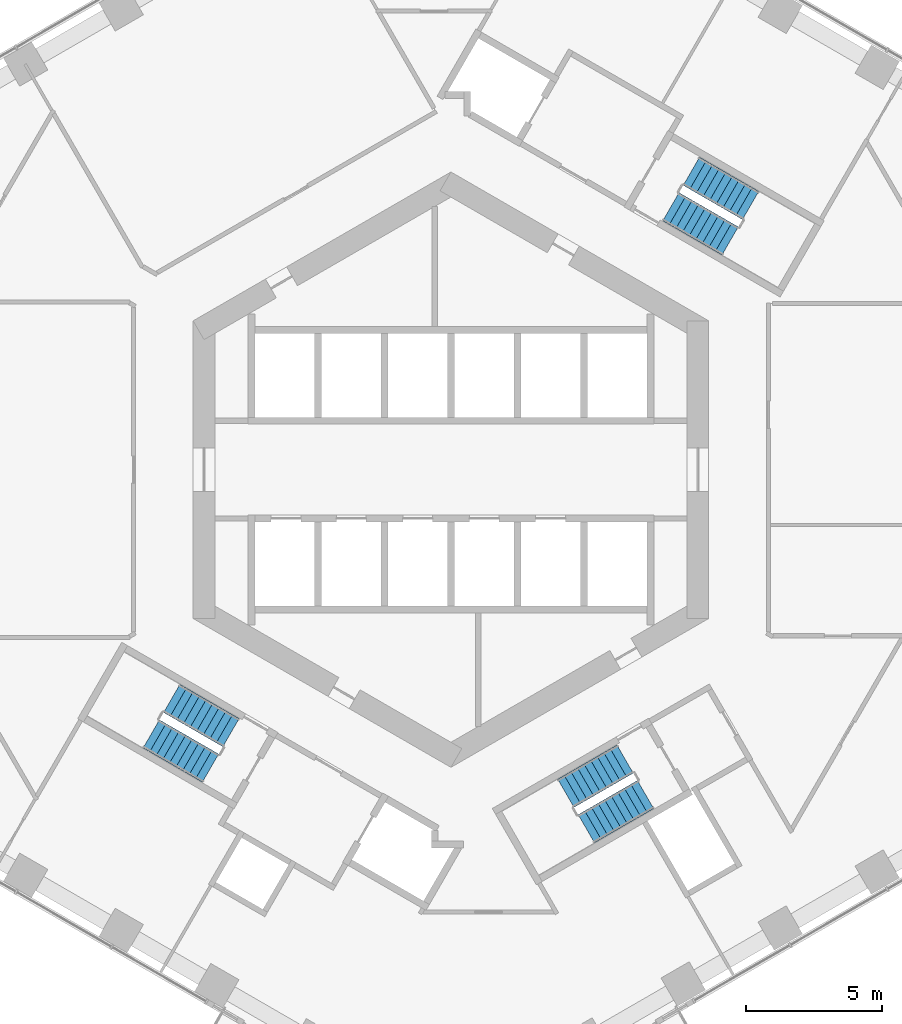
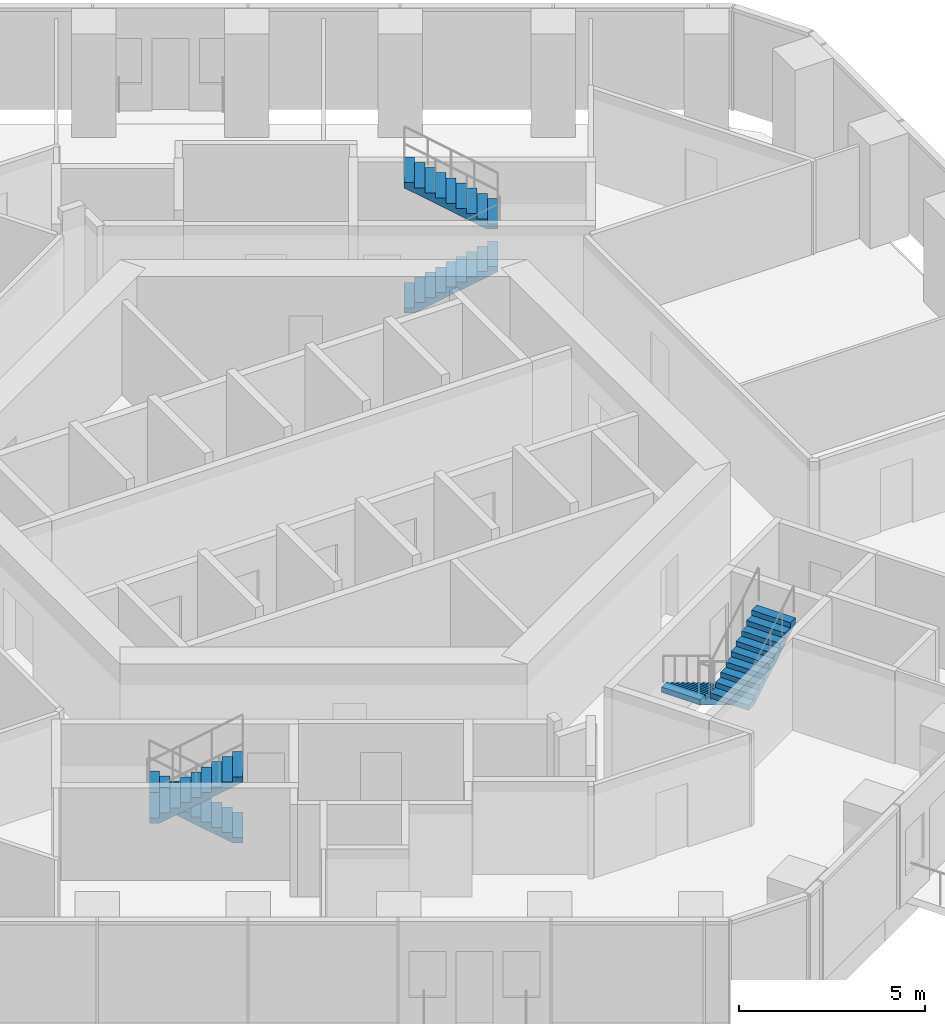
# One storey, part 17 of 20: 6 stair flights, 3 elements without a shape of their own.
"""IFC4 building model written with IfcOpenShell, lengths in metres."""

from ifc_helpers import new_model, si_unit, direction, frame, origin, place, context, subcontext, project, spatial, triangles, material, type_object, element, aggregate, save


model = new_model("IFC4")

# Units and contexts
model_context = context("Model", 3, precision=1e-05, world=origin(), true_north=direction((0.0, 1.0)))
body_context = subcontext(model_context, "Body", "Model", "MODEL_VIEW")
ifc_project = project(units=[si_unit("LENGTHUNIT", "METRE"), si_unit("AREAUNIT", "SQUARE_METRE"), si_unit("VOLUMEUNIT", "CUBIC_METRE"), si_unit("PLANEANGLEUNIT", "RADIAN"), si_unit("MASSUNIT", "GRAM", prefix="KILO")], contexts=[model_context])

# Site, building, storey
site_placement = place(None, origin())
site = spatial("IfcSite", under=ifc_project, at=site_placement, CompositionType="ELEMENT")
building_placement = place(site_placement, origin())
building = spatial("IfcBuilding", under=site, at=building_placement, Name="Ayvan Gate Tower", CompositionType="ELEMENT")
storey_placement = place(building_placement, frame((0.0, 0.0, 28.89990234375)))
storey = spatial("IfcBuildingStorey", under=building, at=storey_placement, Name="L06", CompositionType="ELEMENT", Elevation=28.89990234375)

# Stair, stair flights
ifc_material = material(Name="Concrete C40/50", Category="concrete")
stair_type = type_object("IfcStairType", Name="ST-EXIT", PredefinedType="HALF_TURN_STAIR", material=ifc_material)
stair_1_placement = place(storey_placement, origin())
stair_1 = element("IfcStair", 1, at=stair_1_placement, inside=storey, type_object=stair_type, Name="L06 Exit Stair S1", PredefinedType="HALF_TURN_STAIR")
stair_flight_type = type_object("IfcStairFlightType", Name="SFL-EXIT", PredefinedType="STRAIGHT", material=ifc_material)
stair_flight_1_placement = place(storey_placement, frame((8.106201171875, 9.690185546875, 0.0), z_axis=(0.0, 0.0, 1.0), x_axis=(0.866025403784, -0.5, 0.0)))
stair_flight_1 = element("IfcStairFlight", 2, at=stair_flight_1_placement, type_object=stair_flight_type, Name="STS1 flight 1", NumberOfRisers=10, NumberOfTreads=9, PredefinedType="STRAIGHT", RiserHeight=0.17, TreadLength=0.28, context=body_context, shape_type="Tessellation", body=[
    triangles([(0.288841, -0.599976, 0.0), (2.5205, -0.599976, 1.354936), (2.5205, -0.599976, 1.53), (2.24, -0.599976, 1.53), (2.24, -0.599976, 1.36), (1.96, -0.599976, 1.36), (1.96, -0.599976, 1.19), (1.68, -0.599976, 1.19), (1.68, -0.599976, 1.02), (1.4, -0.599976, 1.02), (1.4, -0.599976, 0.85), (1.12, -0.599976, 0.85), (1.12, -0.599976, 0.68), (0.84, -0.599976, 0.68), (0.84, -0.599976, 0.51), (0.56, -0.599976, 0.51), (0.56, -0.599976, 0.34), (0.28, -0.599976, 0.34), (0.28, -0.599976, 0.17), (-0.0005, -0.599976, 0.17), (-0.0005, -0.599976, 0.0), (0.288841, 0.0, 0.0), (2.5205, 0.0, 1.354936), (2.5205, 0.0, 1.53), (2.24, 0.0, 1.53), (2.24, 0.0, 1.36), (1.96, 0.0, 1.36), (1.96, 0.0, 1.19), (1.68, 0.0, 1.19), (1.68, 0.0, 1.02), (1.4, 0.0, 1.02), (1.4, 0.0, 0.85), (1.12, 0.0, 0.85), (1.12, 0.0, 0.68), (0.84, 0.0, 0.68), (0.84, 0.0, 0.51), (0.56, 0.0, 0.51), (0.56, 0.0, 0.34), (0.28, 0.0, 0.34), (0.28, 0.0, 0.17), (-0.0005, 0.0, 0.17), (-0.0005, 0.0, 0.0), (0.288841, 0.599976, 0.0), (2.5205, 0.599976, 1.354936), (2.5205, 0.599976, 1.53), (2.24, 0.599976, 1.53), (2.24, 0.599976, 1.36), (1.96, 0.599976, 1.36), (1.96, 0.599976, 1.19), (1.68, 0.599976, 1.19), (1.68, 0.599976, 1.02), (1.4, 0.599976, 1.02), (1.4, 0.599976, 0.85), (1.12, 0.599976, 0.85), (1.12, 0.599976, 0.68), (0.84, 0.599976, 0.68), (0.84, 0.599976, 0.51), (0.56, 0.599976, 0.51), (0.56, 0.599976, 0.34), (0.28, 0.599976, 0.34), (0.28, 0.599976, 0.17), (-0.0005, 0.599976, 0.17), (-0.0005, 0.599976, 0.0)], [[21, 1, 2], [63, 44, 43], [2, 3, 4], [44, 46, 45], [2, 4, 5], [44, 47, 46], [2, 5, 6], [44, 48, 47], [2, 6, 7], [44, 49, 48], [7, 8, 9], [49, 51, 50], [2, 7, 9], [44, 51, 49], [9, 10, 11], [51, 53, 52], [2, 9, 11], [44, 53, 51], [11, 12, 13], [53, 55, 54], [2, 11, 13], [44, 55, 53], [13, 14, 15], [55, 57, 56], [2, 13, 15], [44, 57, 55], [15, 16, 17], [57, 59, 58], [2, 15, 17], [44, 59, 57], [17, 18, 19], [59, 61, 60], [2, 17, 19], [44, 61, 59], [21, 2, 19], [63, 61, 44], [19, 20, 21], [61, 63, 62], [1, 22, 23], [1, 23, 2], [43, 23, 22], [43, 44, 23], [2, 23, 24], [2, 24, 3], [44, 24, 23], [44, 45, 24], [3, 24, 25], [3, 25, 4], [45, 25, 24], [45, 46, 25], [4, 25, 26], [4, 26, 5], [46, 26, 25], [46, 47, 26], [5, 26, 27], [5, 27, 6], [47, 27, 26], [47, 48, 27], [6, 27, 28], [6, 28, 7], [48, 28, 27], [48, 49, 28], [7, 28, 29], [7, 29, 8], [49, 29, 28], [49, 50, 29], [8, 29, 30], [8, 30, 9], [50, 30, 29], [50, 51, 30], [9, 30, 31], [9, 31, 10], [51, 31, 30], [51, 52, 31], [10, 31, 32], [10, 32, 11], [52, 32, 31], [52, 53, 32], [11, 32, 33], [11, 33, 12], [53, 33, 32], [53, 54, 33], [12, 33, 34], [12, 34, 13], [54, 34, 33], [54, 55, 34], [13, 34, 35], [13, 35, 14], [55, 35, 34], [55, 56, 35], [14, 35, 36], [14, 36, 15], [56, 36, 35], [56, 57, 36], [15, 36, 37], [15, 37, 16], [57, 37, 36], [57, 58, 37], [16, 37, 38], [16, 38, 17], [58, 38, 37], [58, 59, 38], [17, 38, 39], [17, 39, 18], [59, 39, 38], [59, 60, 39], [18, 39, 40], [18, 40, 19], [60, 40, 39], [60, 61, 40], [19, 40, 41], [19, 41, 20], [61, 41, 40], [61, 62, 41], [20, 41, 42], [20, 42, 21], [62, 42, 41], [62, 63, 42], [21, 42, 22], [21, 22, 1], [63, 22, 42], [63, 43, 22]], closed=True),
])
stair_flight_2_placement = place(storey_placement, frame((11.04345703125, 9.73779296875, 1.7001953125), z_axis=(0.0, 0.0, 1.0), x_axis=(-0.866025403784, 0.5, 0.0)))
stair_flight_2 = element("IfcStairFlight", 3, at=stair_flight_2_placement, type_object=stair_flight_type, Name="STS1 flight 2", NumberOfRisers=10, NumberOfTreads=9, PredefinedType="STRAIGHT", RiserHeight=0.17, TreadLength=0.28, context=body_context, shape_type="Tessellation", body=[
    triangles([(0.288841, -0.599976, 0.0), (2.5205, -0.599976, 1.354936), (2.5205, -0.599976, 1.53), (2.24, -0.599976, 1.53), (2.24, -0.599976, 1.36), (1.96, -0.599976, 1.36), (1.96, -0.599976, 1.19), (1.68, -0.599976, 1.19), (1.68, -0.599976, 1.02), (1.4, -0.599976, 1.02), (1.4, -0.599976, 0.85), (1.12, -0.599976, 0.85), (1.12, -0.599976, 0.68), (0.84, -0.599976, 0.68), (0.84, -0.599976, 0.51), (0.56, -0.599976, 0.51), (0.56, -0.599976, 0.34), (0.28, -0.599976, 0.34), (0.28, -0.599976, 0.17), (-0.0005, -0.599976, 0.17), (-0.0005, -0.599976, 0.0), (0.288841, 0.0, 0.0), (2.5205, 0.0, 1.354936), (2.5205, 0.0, 1.53), (2.24, 0.0, 1.53), (2.24, 0.0, 1.36), (1.96, 0.0, 1.36), (1.96, 0.0, 1.19), (1.68, 0.0, 1.19), (1.68, 0.0, 1.02), (1.4, 0.0, 1.02), (1.4, 0.0, 0.85), (1.12, 0.0, 0.85), (1.12, 0.0, 0.68), (0.84, 0.0, 0.68), (0.84, 0.0, 0.51), (0.56, 0.0, 0.51), (0.56, 0.0, 0.34), (0.28, 0.0, 0.34), (0.28, 0.0, 0.17), (-0.0005, 0.0, 0.17), (-0.0005, 0.0, 0.0), (0.288841, 0.599976, 0.0), (2.5205, 0.599976, 1.354936), (2.5205, 0.599976, 1.53), (2.24, 0.599976, 1.53), (2.24, 0.599976, 1.36), (1.96, 0.599976, 1.36), (1.96, 0.599976, 1.19), (1.68, 0.599976, 1.19), (1.68, 0.599976, 1.02), (1.4, 0.599976, 1.02), (1.4, 0.599976, 0.85), (1.12, 0.599976, 0.85), (1.12, 0.599976, 0.68), (0.84, 0.599976, 0.68), (0.84, 0.599976, 0.51), (0.56, 0.599976, 0.51), (0.56, 0.599976, 0.34), (0.28, 0.599976, 0.34), (0.28, 0.599976, 0.17), (-0.0005, 0.599976, 0.17), (-0.0005, 0.599976, 0.0)], [[21, 1, 2], [63, 44, 43], [2, 3, 4], [44, 46, 45], [2, 4, 5], [44, 47, 46], [2, 5, 6], [44, 48, 47], [2, 6, 7], [44, 49, 48], [7, 8, 9], [49, 51, 50], [2, 7, 9], [44, 51, 49], [9, 10, 11], [51, 53, 52], [2, 9, 11], [44, 53, 51], [11, 12, 13], [53, 55, 54], [2, 11, 13], [44, 55, 53], [13, 14, 15], [55, 57, 56], [2, 13, 15], [44, 57, 55], [15, 16, 17], [57, 59, 58], [2, 15, 17], [44, 59, 57], [17, 18, 19], [59, 61, 60], [2, 17, 19], [44, 61, 59], [21, 2, 19], [63, 61, 44], [19, 20, 21], [61, 63, 62], [1, 22, 23], [1, 23, 2], [43, 23, 22], [43, 44, 23], [2, 23, 24], [2, 24, 3], [44, 24, 23], [44, 45, 24], [3, 24, 25], [3, 25, 4], [45, 25, 24], [45, 46, 25], [4, 25, 26], [4, 26, 5], [46, 26, 25], [46, 47, 26], [5, 26, 27], [5, 27, 6], [47, 27, 26], [47, 48, 27], [6, 27, 28], [6, 28, 7], [48, 28, 27], [48, 49, 28], [7, 28, 29], [7, 29, 8], [49, 29, 28], [49, 50, 29], [8, 29, 30], [8, 30, 9], [50, 30, 29], [50, 51, 30], [9, 30, 31], [9, 31, 10], [51, 31, 30], [51, 52, 31], [10, 31, 32], [10, 32, 11], [52, 32, 31], [52, 53, 32], [11, 32, 33], [11, 33, 12], [53, 33, 32], [53, 54, 33], [12, 33, 34], [12, 34, 13], [54, 34, 33], [54, 55, 34], [13, 34, 35], [13, 35, 14], [55, 35, 34], [55, 56, 35], [14, 35, 36], [14, 36, 15], [56, 36, 35], [56, 57, 36], [15, 36, 37], [15, 37, 16], [57, 37, 36], [57, 58, 37], [16, 37, 38], [16, 38, 17], [58, 38, 37], [58, 59, 38], [17, 38, 39], [17, 39, 18], [59, 39, 38], [59, 60, 39], [18, 39, 40], [18, 40, 19], [60, 40, 39], [60, 61, 40], [19, 40, 41], [19, 41, 20], [61, 41, 40], [61, 62, 41], [20, 41, 42], [20, 42, 21], [62, 42, 41], [62, 63, 42], [21, 42, 22], [21, 22, 1], [63, 22, 42], [63, 43, 22]], closed=True),
])
aggregate(stair_1, [stair_flight_1, stair_flight_2])

stair_2_placement = place(storey_placement, origin())
stair_2 = element("IfcStair", 4, at=stair_2_placement, inside=storey, type_object=stair_type, Name="L06 Exit Stair S2", PredefinedType="HALF_TURN_STAIR")
stair_flight_3_placement = place(storey_placement, frame((-8.106201171875, -9.690185546875, 0.0), z_axis=(0.0, 0.0, 1.0), x_axis=(-0.866025403784, 0.5, 0.0)))
stair_flight_3 = element("IfcStairFlight", 5, at=stair_flight_3_placement, type_object=stair_flight_type, Name="STS2 flight 1", NumberOfRisers=10, NumberOfTreads=9, PredefinedType="STRAIGHT", RiserHeight=0.17, TreadLength=0.28, context=body_context, shape_type="Tessellation", body=[
    triangles([(0.288841, -0.599976, 0.0), (2.5205, -0.599976, 1.354936), (2.5205, -0.599976, 1.53), (2.24, -0.599976, 1.53), (2.24, -0.599976, 1.36), (1.96, -0.599976, 1.36), (1.96, -0.599976, 1.19), (1.68, -0.599976, 1.19), (1.68, -0.599976, 1.02), (1.4, -0.599976, 1.02), (1.4, -0.599976, 0.85), (1.12, -0.599976, 0.85), (1.12, -0.599976, 0.68), (0.84, -0.599976, 0.68), (0.84, -0.599976, 0.51), (0.56, -0.599976, 0.51), (0.56, -0.599976, 0.34), (0.28, -0.599976, 0.34), (0.28, -0.599976, 0.17), (-0.0005, -0.599976, 0.17), (-0.0005, -0.599976, 0.0), (0.288841, 0.0, 0.0), (2.5205, 0.0, 1.354936), (2.5205, 0.0, 1.53), (2.24, 0.0, 1.53), (2.24, 0.0, 1.36), (1.96, 0.0, 1.36), (1.96, 0.0, 1.19), (1.68, 0.0, 1.19), (1.68, 0.0, 1.02), (1.4, 0.0, 1.02), (1.4, 0.0, 0.85), (1.12, 0.0, 0.85), (1.12, 0.0, 0.68), (0.84, 0.0, 0.68), (0.84, 0.0, 0.51), (0.56, 0.0, 0.51), (0.56, 0.0, 0.34), (0.28, 0.0, 0.34), (0.28, 0.0, 0.17), (-0.0005, 0.0, 0.17), (-0.0005, 0.0, 0.0), (0.288841, 0.599976, 0.0), (2.5205, 0.599976, 1.354936), (2.5205, 0.599976, 1.53), (2.24, 0.599976, 1.53), (2.24, 0.599976, 1.36), (1.96, 0.599976, 1.36), (1.96, 0.599976, 1.19), (1.68, 0.599976, 1.19), (1.68, 0.599976, 1.02), (1.4, 0.599976, 1.02), (1.4, 0.599976, 0.85), (1.12, 0.599976, 0.85), (1.12, 0.599976, 0.68), (0.84, 0.599976, 0.68), (0.84, 0.599976, 0.51), (0.56, 0.599976, 0.51), (0.56, 0.599976, 0.34), (0.28, 0.599976, 0.34), (0.28, 0.599976, 0.17), (-0.0005, 0.599976, 0.17), (-0.0005, 0.599976, 0.0)], [[21, 1, 2], [63, 44, 43], [2, 3, 4], [44, 46, 45], [2, 4, 5], [44, 47, 46], [2, 5, 6], [44, 48, 47], [2, 6, 7], [44, 49, 48], [7, 8, 9], [49, 51, 50], [2, 7, 9], [44, 51, 49], [9, 10, 11], [51, 53, 52], [2, 9, 11], [44, 53, 51], [11, 12, 13], [53, 55, 54], [2, 11, 13], [44, 55, 53], [13, 14, 15], [55, 57, 56], [2, 13, 15], [44, 57, 55], [15, 16, 17], [57, 59, 58], [2, 15, 17], [44, 59, 57], [17, 18, 19], [59, 61, 60], [2, 17, 19], [44, 61, 59], [21, 2, 19], [63, 61, 44], [19, 20, 21], [61, 63, 62], [1, 22, 23], [1, 23, 2], [43, 23, 22], [43, 44, 23], [2, 23, 24], [2, 24, 3], [44, 24, 23], [44, 45, 24], [3, 24, 25], [3, 25, 4], [45, 25, 24], [45, 46, 25], [4, 25, 26], [4, 26, 5], [46, 26, 25], [46, 47, 26], [5, 26, 27], [5, 27, 6], [47, 27, 26], [47, 48, 27], [6, 27, 28], [6, 28, 7], [48, 28, 27], [48, 49, 28], [7, 28, 29], [7, 29, 8], [49, 29, 28], [49, 50, 29], [8, 29, 30], [8, 30, 9], [50, 30, 29], [50, 51, 30], [9, 30, 31], [9, 31, 10], [51, 31, 30], [51, 52, 31], [10, 31, 32], [10, 32, 11], [52, 32, 31], [52, 53, 32], [11, 32, 33], [11, 33, 12], [53, 33, 32], [53, 54, 33], [12, 33, 34], [12, 34, 13], [54, 34, 33], [54, 55, 34], [13, 34, 35], [13, 35, 14], [55, 35, 34], [55, 56, 35], [14, 35, 36], [14, 36, 15], [56, 36, 35], [56, 57, 36], [15, 36, 37], [15, 37, 16], [57, 37, 36], [57, 58, 37], [16, 37, 38], [16, 38, 17], [58, 38, 37], [58, 59, 38], [17, 38, 39], [17, 39, 18], [59, 39, 38], [59, 60, 39], [18, 39, 40], [18, 40, 19], [60, 40, 39], [60, 61, 40], [19, 40, 41], [19, 41, 20], [61, 41, 40], [61, 62, 41], [20, 41, 42], [20, 42, 21], [62, 42, 41], [62, 63, 42], [21, 42, 22], [21, 22, 1], [63, 22, 42], [63, 43, 22]], closed=True),
])
stair_flight_4_placement = place(storey_placement, frame((-11.04345703125, -9.73779296875, 1.7001953125), z_axis=(0.0, 0.0, 1.0), x_axis=(0.866025403784, -0.5, 0.0)))
stair_flight_4 = element("IfcStairFlight", 6, at=stair_flight_4_placement, type_object=stair_flight_type, Name="STS2 flight 2", NumberOfRisers=10, NumberOfTreads=9, PredefinedType="STRAIGHT", RiserHeight=0.17, TreadLength=0.28, context=body_context, shape_type="Tessellation", body=[
    triangles([(0.288841, -0.599976, 0.0), (2.5205, -0.599976, 1.354936), (2.5205, -0.599976, 1.53), (2.24, -0.599976, 1.53), (2.24, -0.599976, 1.36), (1.96, -0.599976, 1.36), (1.96, -0.599976, 1.19), (1.68, -0.599976, 1.19), (1.68, -0.599976, 1.02), (1.4, -0.599976, 1.02), (1.4, -0.599976, 0.85), (1.12, -0.599976, 0.85), (1.12, -0.599976, 0.68), (0.84, -0.599976, 0.68), (0.84, -0.599976, 0.51), (0.56, -0.599976, 0.51), (0.56, -0.599976, 0.34), (0.28, -0.599976, 0.34), (0.28, -0.599976, 0.17), (-0.0005, -0.599976, 0.17), (-0.0005, -0.599976, 0.0), (0.288841, 0.0, 0.0), (2.5205, 0.0, 1.354936), (2.5205, 0.0, 1.53), (2.24, 0.0, 1.53), (2.24, 0.0, 1.36), (1.96, 0.0, 1.36), (1.96, 0.0, 1.19), (1.68, 0.0, 1.19), (1.68, 0.0, 1.02), (1.4, 0.0, 1.02), (1.4, 0.0, 0.85), (1.12, 0.0, 0.85), (1.12, 0.0, 0.68), (0.84, 0.0, 0.68), (0.84, 0.0, 0.51), (0.56, 0.0, 0.51), (0.56, 0.0, 0.34), (0.28, 0.0, 0.34), (0.28, 0.0, 0.17), (-0.0005, 0.0, 0.17), (-0.0005, 0.0, 0.0), (0.288841, 0.599976, 0.0), (2.5205, 0.599976, 1.354936), (2.5205, 0.599976, 1.53), (2.24, 0.599976, 1.53), (2.24, 0.599976, 1.36), (1.96, 0.599976, 1.36), (1.96, 0.599976, 1.19), (1.68, 0.599976, 1.19), (1.68, 0.599976, 1.02), (1.4, 0.599976, 1.02), (1.4, 0.599976, 0.85), (1.12, 0.599976, 0.85), (1.12, 0.599976, 0.68), (0.84, 0.599976, 0.68), (0.84, 0.599976, 0.51), (0.56, 0.599976, 0.51), (0.56, 0.599976, 0.34), (0.28, 0.599976, 0.34), (0.28, 0.599976, 0.17), (-0.0005, 0.599976, 0.17), (-0.0005, 0.599976, 0.0)], [[21, 1, 2], [63, 44, 43], [2, 3, 4], [44, 46, 45], [2, 4, 5], [44, 47, 46], [2, 5, 6], [44, 48, 47], [2, 6, 7], [44, 49, 48], [7, 8, 9], [49, 51, 50], [2, 7, 9], [44, 51, 49], [9, 10, 11], [51, 53, 52], [2, 9, 11], [44, 53, 51], [11, 12, 13], [53, 55, 54], [2, 11, 13], [44, 55, 53], [13, 14, 15], [55, 57, 56], [2, 13, 15], [44, 57, 55], [15, 16, 17], [57, 59, 58], [2, 15, 17], [44, 59, 57], [17, 18, 19], [59, 61, 60], [2, 17, 19], [44, 61, 59], [21, 2, 19], [63, 61, 44], [19, 20, 21], [61, 63, 62], [1, 22, 23], [1, 23, 2], [43, 23, 22], [43, 44, 23], [2, 23, 24], [2, 24, 3], [44, 24, 23], [44, 45, 24], [3, 24, 25], [3, 25, 4], [45, 25, 24], [45, 46, 25], [4, 25, 26], [4, 26, 5], [46, 26, 25], [46, 47, 26], [5, 26, 27], [5, 27, 6], [47, 27, 26], [47, 48, 27], [6, 27, 28], [6, 28, 7], [48, 28, 27], [48, 49, 28], [7, 28, 29], [7, 29, 8], [49, 29, 28], [49, 50, 29], [8, 29, 30], [8, 30, 9], [50, 30, 29], [50, 51, 30], [9, 30, 31], [9, 31, 10], [51, 31, 30], [51, 52, 31], [10, 31, 32], [10, 32, 11], [52, 32, 31], [52, 53, 32], [11, 32, 33], [11, 33, 12], [53, 33, 32], [53, 54, 33], [12, 33, 34], [12, 34, 13], [54, 34, 33], [54, 55, 34], [13, 34, 35], [13, 35, 14], [55, 35, 34], [55, 56, 35], [14, 35, 36], [14, 36, 15], [56, 36, 35], [56, 57, 36], [15, 36, 37], [15, 37, 16], [57, 37, 36], [57, 58, 37], [16, 37, 38], [16, 38, 17], [58, 38, 37], [58, 59, 38], [17, 38, 39], [17, 39, 18], [59, 39, 38], [59, 60, 39], [18, 39, 40], [18, 40, 19], [60, 40, 39], [60, 61, 40], [19, 40, 41], [19, 41, 20], [61, 41, 40], [61, 62, 41], [20, 41, 42], [20, 42, 21], [62, 42, 41], [62, 63, 42], [21, 42, 22], [21, 22, 1], [63, 22, 42], [63, 43, 22]], closed=True),
])
aggregate(stair_2, [stair_flight_3, stair_flight_4])

stair_3_placement = place(storey_placement, origin())
stair_3 = element("IfcStair", 7, at=stair_3_placement, inside=storey, type_object=stair_type, Name="L06 Exit Stair S3", PredefinedType="HALF_TURN_STAIR")
stair_flight_5_placement = place(storey_placement, frame((6.417236328125, -10.665283203125, 0.0), z_axis=(0.0, 0.0, 1.0), x_axis=(-0.866025403784, -0.5, 0.0)))
stair_flight_5 = element("IfcStairFlight", 8, at=stair_flight_5_placement, type_object=stair_flight_type, Name="STS3 flight 1", NumberOfRisers=10, NumberOfTreads=9, PredefinedType="STRAIGHT", RiserHeight=0.17, TreadLength=0.28, context=body_context, shape_type="Tessellation", body=[
    triangles([(0.288841, -0.599976, 0.0), (2.5205, -0.599976, 1.354936), (2.5205, -0.599976, 1.53), (2.24, -0.599976, 1.53), (2.24, -0.599976, 1.36), (1.96, -0.599976, 1.36), (1.96, -0.599976, 1.19), (1.68, -0.599976, 1.19), (1.68, -0.599976, 1.02), (1.4, -0.599976, 1.02), (1.4, -0.599976, 0.85), (1.12, -0.599976, 0.85), (1.12, -0.599976, 0.68), (0.84, -0.599976, 0.68), (0.84, -0.599976, 0.51), (0.56, -0.599976, 0.51), (0.56, -0.599976, 0.34), (0.28, -0.599976, 0.34), (0.28, -0.599976, 0.17), (-0.0005, -0.599976, 0.17), (-0.0005, -0.599976, 0.0), (0.288841, 0.0, 0.0), (2.5205, 0.0, 1.354936), (2.5205, 0.0, 1.53), (2.24, 0.0, 1.53), (2.24, 0.0, 1.36), (1.96, 0.0, 1.36), (1.96, 0.0, 1.19), (1.68, 0.0, 1.19), (1.68, 0.0, 1.02), (1.4, 0.0, 1.02), (1.4, 0.0, 0.85), (1.12, 0.0, 0.85), (1.12, 0.0, 0.68), (0.84, 0.0, 0.68), (0.84, 0.0, 0.51), (0.56, 0.0, 0.51), (0.56, 0.0, 0.34), (0.28, 0.0, 0.34), (0.28, 0.0, 0.17), (-0.0005, 0.0, 0.17), (-0.0005, 0.0, 0.0), (0.288841, 0.599976, 0.0), (2.5205, 0.599976, 1.354936), (2.5205, 0.599976, 1.53), (2.24, 0.599976, 1.53), (2.24, 0.599976, 1.36), (1.96, 0.599976, 1.36), (1.96, 0.599976, 1.19), (1.68, 0.599976, 1.19), (1.68, 0.599976, 1.02), (1.4, 0.599976, 1.02), (1.4, 0.599976, 0.85), (1.12, 0.599976, 0.85), (1.12, 0.599976, 0.68), (0.84, 0.599976, 0.68), (0.84, 0.599976, 0.51), (0.56, 0.599976, 0.51), (0.56, 0.599976, 0.34), (0.28, 0.599976, 0.34), (0.28, 0.599976, 0.17), (-0.0005, 0.599976, 0.17), (-0.0005, 0.599976, 0.0)], [[21, 1, 2], [63, 44, 43], [2, 3, 4], [44, 46, 45], [2, 4, 5], [44, 47, 46], [2, 5, 6], [44, 48, 47], [2, 6, 7], [44, 49, 48], [7, 8, 9], [49, 51, 50], [2, 7, 9], [44, 51, 49], [9, 10, 11], [51, 53, 52], [2, 9, 11], [44, 53, 51], [11, 12, 13], [53, 55, 54], [2, 11, 13], [44, 55, 53], [13, 14, 15], [55, 57, 56], [2, 13, 15], [44, 57, 55], [15, 16, 17], [57, 59, 58], [2, 15, 17], [44, 59, 57], [17, 18, 19], [59, 61, 60], [2, 17, 19], [44, 61, 59], [21, 2, 19], [63, 61, 44], [19, 20, 21], [61, 63, 62], [1, 22, 23], [1, 23, 2], [43, 23, 22], [43, 44, 23], [2, 23, 24], [2, 24, 3], [44, 24, 23], [44, 45, 24], [3, 24, 25], [3, 25, 4], [45, 25, 24], [45, 46, 25], [4, 25, 26], [4, 26, 5], [46, 26, 25], [46, 47, 26], [5, 26, 27], [5, 27, 6], [47, 27, 26], [47, 48, 27], [6, 27, 28], [6, 28, 7], [48, 28, 27], [48, 49, 28], [7, 28, 29], [7, 29, 8], [49, 29, 28], [49, 50, 29], [8, 29, 30], [8, 30, 9], [50, 30, 29], [50, 51, 30], [9, 30, 31], [9, 31, 10], [51, 31, 30], [51, 52, 31], [10, 31, 32], [10, 32, 11], [52, 32, 31], [52, 53, 32], [11, 32, 33], [11, 33, 12], [53, 33, 32], [53, 54, 33], [12, 33, 34], [12, 34, 13], [54, 34, 33], [54, 55, 34], [13, 34, 35], [13, 35, 14], [55, 35, 34], [55, 56, 35], [14, 35, 36], [14, 36, 15], [56, 36, 35], [56, 57, 36], [15, 36, 37], [15, 37, 16], [57, 37, 36], [57, 58, 37], [16, 37, 38], [16, 38, 17], [58, 38, 37], [58, 59, 38], [17, 38, 39], [17, 39, 18], [59, 39, 38], [59, 60, 39], [18, 39, 40], [18, 40, 19], [60, 40, 39], [60, 61, 40], [19, 40, 41], [19, 41, 20], [61, 41, 40], [61, 62, 41], [20, 41, 42], [20, 42, 21], [62, 42, 41], [62, 63, 42], [21, 42, 22], [21, 22, 1], [63, 22, 42], [63, 43, 22]], closed=True),
])
stair_flight_6_placement = place(storey_placement, frame((4.989990234375, -13.23291015625, 1.7001953125), z_axis=(0.0, 0.0, 1.0), x_axis=(0.866025403784, 0.5, 0.0)))
stair_flight_6 = element("IfcStairFlight", 9, at=stair_flight_6_placement, type_object=stair_flight_type, Name="STS3 flight 2", NumberOfRisers=10, NumberOfTreads=9, PredefinedType="STRAIGHT", RiserHeight=0.17, TreadLength=0.28, context=body_context, shape_type="Tessellation", body=[
    triangles([(0.288841, -0.599976, 0.0), (2.5205, -0.599976, 1.354936), (2.5205, -0.599976, 1.53), (2.24, -0.599976, 1.53), (2.24, -0.599976, 1.36), (1.96, -0.599976, 1.36), (1.96, -0.599976, 1.19), (1.68, -0.599976, 1.19), (1.68, -0.599976, 1.02), (1.4, -0.599976, 1.02), (1.4, -0.599976, 0.85), (1.12, -0.599976, 0.85), (1.12, -0.599976, 0.68), (0.84, -0.599976, 0.68), (0.84, -0.599976, 0.51), (0.56, -0.599976, 0.51), (0.56, -0.599976, 0.34), (0.28, -0.599976, 0.34), (0.28, -0.599976, 0.17), (-0.0005, -0.599976, 0.17), (-0.0005, -0.599976, 0.0), (0.288841, 0.0, 0.0), (2.5205, 0.0, 1.354936), (2.5205, 0.0, 1.53), (2.24, 0.0, 1.53), (2.24, 0.0, 1.36), (1.96, 0.0, 1.36), (1.96, 0.0, 1.19), (1.68, 0.0, 1.19), (1.68, 0.0, 1.02), (1.4, 0.0, 1.02), (1.4, 0.0, 0.85), (1.12, 0.0, 0.85), (1.12, 0.0, 0.68), (0.84, 0.0, 0.68), (0.84, 0.0, 0.51), (0.56, 0.0, 0.51), (0.56, 0.0, 0.34), (0.28, 0.0, 0.34), (0.28, 0.0, 0.17), (-0.0005, 0.0, 0.17), (-0.0005, 0.0, 0.0), (0.288841, 0.599976, 0.0), (2.5205, 0.599976, 1.354936), (2.5205, 0.599976, 1.53), (2.24, 0.599976, 1.53), (2.24, 0.599976, 1.36), (1.96, 0.599976, 1.36), (1.96, 0.599976, 1.19), (1.68, 0.599976, 1.19), (1.68, 0.599976, 1.02), (1.4, 0.599976, 1.02), (1.4, 0.599976, 0.85), (1.12, 0.599976, 0.85), (1.12, 0.599976, 0.68), (0.84, 0.599976, 0.68), (0.84, 0.599976, 0.51), (0.56, 0.599976, 0.51), (0.56, 0.599976, 0.34), (0.28, 0.599976, 0.34), (0.28, 0.599976, 0.17), (-0.0005, 0.599976, 0.17), (-0.0005, 0.599976, 0.0)], [[21, 1, 2], [63, 44, 43], [2, 3, 4], [44, 46, 45], [2, 4, 5], [44, 47, 46], [2, 5, 6], [44, 48, 47], [2, 6, 7], [44, 49, 48], [7, 8, 9], [49, 51, 50], [2, 7, 9], [44, 51, 49], [9, 10, 11], [51, 53, 52], [2, 9, 11], [44, 53, 51], [11, 12, 13], [53, 55, 54], [2, 11, 13], [44, 55, 53], [13, 14, 15], [55, 57, 56], [2, 13, 15], [44, 57, 55], [15, 16, 17], [57, 59, 58], [2, 15, 17], [44, 59, 57], [17, 18, 19], [59, 61, 60], [2, 17, 19], [44, 61, 59], [21, 2, 19], [63, 61, 44], [19, 20, 21], [61, 63, 62], [1, 22, 23], [1, 23, 2], [43, 23, 22], [43, 44, 23], [2, 23, 24], [2, 24, 3], [44, 24, 23], [44, 45, 24], [3, 24, 25], [3, 25, 4], [45, 25, 24], [45, 46, 25], [4, 25, 26], [4, 26, 5], [46, 26, 25], [46, 47, 26], [5, 26, 27], [5, 27, 6], [47, 27, 26], [47, 48, 27], [6, 27, 28], [6, 28, 7], [48, 28, 27], [48, 49, 28], [7, 28, 29], [7, 29, 8], [49, 29, 28], [49, 50, 29], [8, 29, 30], [8, 30, 9], [50, 30, 29], [50, 51, 30], [9, 30, 31], [9, 31, 10], [51, 31, 30], [51, 52, 31], [10, 31, 32], [10, 32, 11], [52, 32, 31], [52, 53, 32], [11, 32, 33], [11, 33, 12], [53, 33, 32], [53, 54, 33], [12, 33, 34], [12, 34, 13], [54, 34, 33], [54, 55, 34], [13, 34, 35], [13, 35, 14], [55, 35, 34], [55, 56, 35], [14, 35, 36], [14, 36, 15], [56, 36, 35], [56, 57, 36], [15, 36, 37], [15, 37, 16], [57, 37, 36], [57, 58, 37], [16, 37, 38], [16, 38, 17], [58, 38, 37], [58, 59, 38], [17, 38, 39], [17, 39, 18], [59, 39, 38], [59, 60, 39], [18, 39, 40], [18, 40, 19], [60, 40, 39], [60, 61, 40], [19, 40, 41], [19, 41, 20], [61, 41, 40], [61, 62, 41], [20, 41, 42], [20, 42, 21], [62, 42, 41], [62, 63, 42], [21, 42, 22], [21, 22, 1], [63, 22, 42], [63, 43, 22]], closed=True),
])
aggregate(stair_3, [stair_flight_5, stair_flight_6])

save(model, "model.ifc")
